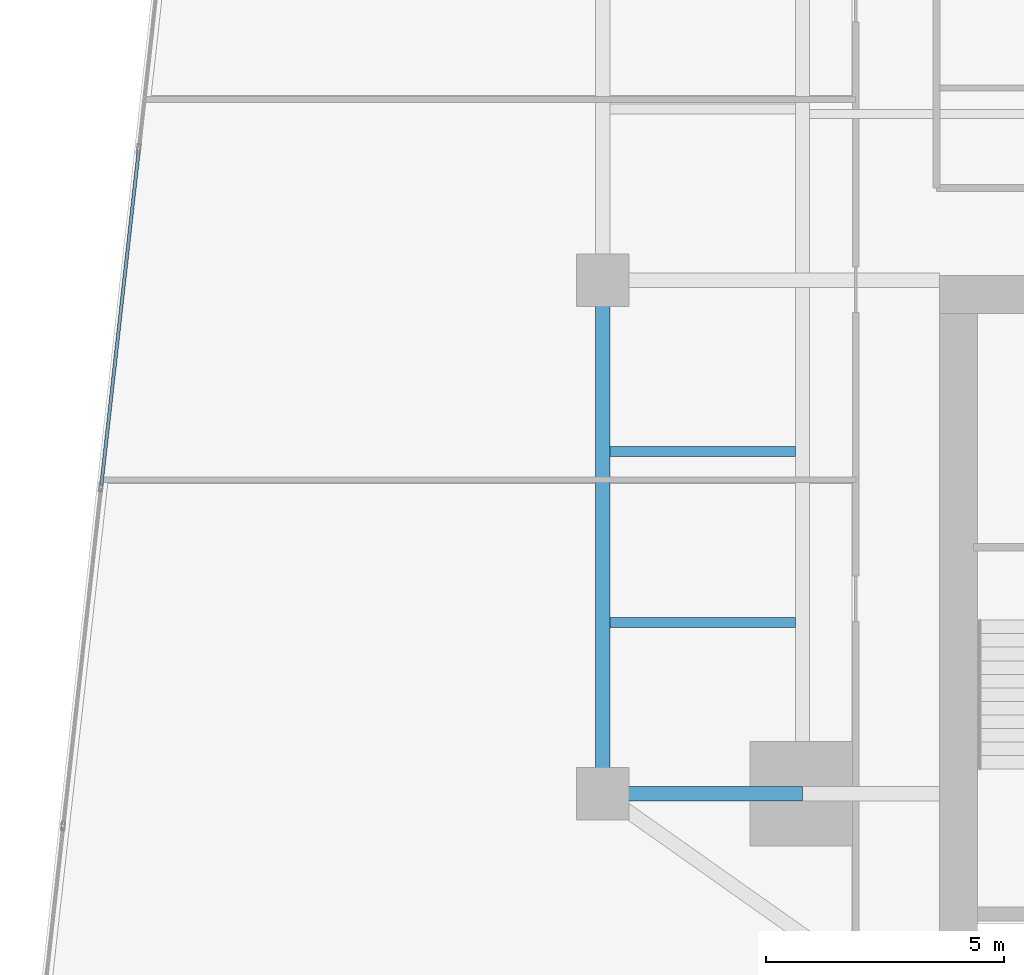
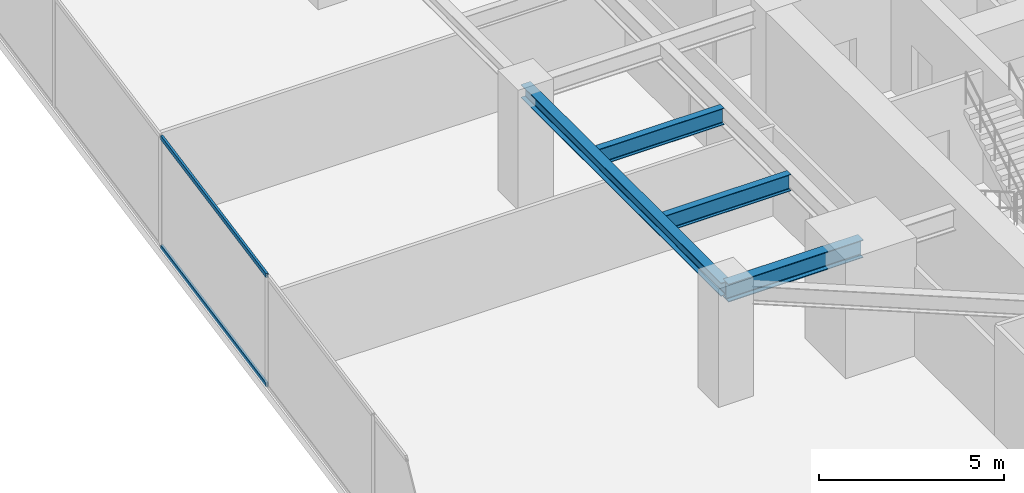
# One storey, part 7 of 31: 4 beams, 2 members, 1 element without a shape of its own.
"""IFC4 building model written with IfcOpenShell, lengths in metres."""

from ifc_helpers import new_model, si_unit, direction, frame, origin, origin_2d, place, context, subcontext, project, spatial, hollow_rectangle, i_section, extrude, source, transform, mapped, material, material_profile, profile_set, type_object, type_shapes, element, aggregate, save


model = new_model("IFC4")

# Units and contexts
model_context = context("Model", 3, precision=1e-05, world=origin(), true_north=direction((0.0, 1.0)))
body_context = subcontext(model_context, "Body", "Model", "MODEL_VIEW")
ifc_project = project(units=[si_unit("LENGTHUNIT", "METRE"), si_unit("AREAUNIT", "SQUARE_METRE"), si_unit("VOLUMEUNIT", "CUBIC_METRE"), si_unit("PLANEANGLEUNIT", "RADIAN"), si_unit("MASSUNIT", "GRAM", prefix="KILO")], contexts=[model_context])

# Site, building, storey
site_placement = place(None, origin())
site = spatial("IfcSite", under=ifc_project, at=site_placement, CompositionType="ELEMENT")
building_placement = place(site_placement, origin())
building = spatial("IfcBuilding", under=site, at=building_placement, Name="Krantzveldt Concourse Tower", CompositionType="ELEMENT")
storey_placement = place(building_placement, frame((0.0, 0.0, 56.60009765625)))
storey = spatial("IfcBuildingStorey", under=building, at=storey_placement, Name="L13", CompositionType="ELEMENT", Elevation=56.60009765625)

# Beams
ifc_material_1 = material(Name="Steel S355JR", Category="steel")
ifc_material_profile_1 = material_profile(ifc_material_1, i_section(OverallWidth=0.300048828125, OverallDepth=0.43994140625, WebThickness=0.011474609375, FlangeThickness=0.02099609375, FilletRadius=0.027099609375, at=origin_2d()), Name="Steel S355JR", Category="steel")
ifc_profile_set_1 = profile_set([ifc_material_profile_1], Name="Steel S355JR - HEA 450")
beam_type_1 = type_object("IfcBeamType", Name="BM-SP-HEA450", PredefinedType="SPANDREL", material=ifc_profile_set_1)
shared_shape_1 = source(origin(), body_context, "Body", "SweptSolid", [
    extrude(i_section(OverallWidth=0.300048828125, OverallDepth=0.43994140625, WebThickness=0.011474609375, FlangeThickness=0.02099609375, FilletRadius=0.027099609375, at=origin_2d()), origin(), (0.0, 0.0, 1.0), 10.800048828125),
])
type_shapes(beam_type_1, [shared_shape_1])
beam_1_placement = place(storey_placement, frame((21.0, 15.89990234375, 3.449951171875), z_axis=(0.0, 1.0, 0.0), x_axis=(-1.0, 0.0, 0.0)))
element("IfcBeam", 1, at=beam_1_placement, inside=storey, type_object=beam_type_1, Name="L13 Tower Girder SP-R01", PredefinedType="SPANDREL", context=body_context, shape_type="MappedRepresentation", body=[
    mapped(shared_shape_1, transform((0.0, 0.0, 0.0), x_axis=(1.0, 0.0, 0.0), y_axis=(0.0, 1.0, 0.0), z_axis=(0.0, 0.0, 1.0), scale=1.0)),
])
ifc_material_profile_2 = material_profile(ifc_material_1, i_section(OverallWidth=0.300048828125, OverallDepth=0.590087890625, WebThickness=0.012939453125, FlangeThickness=0.02490234375, FilletRadius=0.027099609375, at=origin_2d()), Name="Steel S355JR", Category="steel")
ifc_profile_set_2 = profile_set([ifc_material_profile_2], Name="Steel S355JR - HEA 600")
beam_type_2 = type_object("IfcBeamType", Name="BM-B-HEA600", PredefinedType="BEAM", material=ifc_profile_set_2)
shared_shape_2 = source(origin(), body_context, "Body", "SweptSolid", [
    extrude(i_section(OverallWidth=0.300048828125, OverallDepth=0.590087890625, WebThickness=0.012939453125, FlangeThickness=0.02490234375, FilletRadius=0.027099609375, at=origin_2d()), origin(), (0.0, 0.0, 1.0), 4.199951171875),
])
type_shapes(beam_type_2, [shared_shape_2])
beam_2_placement = place(storey_placement, frame((21.0, 15.89990234375, 3.375), z_axis=(1.0, 0.0, 0.0), x_axis=(0.0, 1.0, 0.0)))
element("IfcBeam", 2, at=beam_2_placement, inside=storey, type_object=beam_type_2, Name="L13 Tower Girder BR-RL1", PredefinedType="BEAM", context=body_context, shape_type="MappedRepresentation", body=[
    mapped(shared_shape_2, transform((0.0, 0.0, 0.0), x_axis=(1.0, 0.0, 0.0), y_axis=(0.0, 1.0, 0.0), z_axis=(0.0, 0.0, 1.0), scale=1.0)),
])
ifc_material_profile_3 = material_profile(ifc_material_1, i_section(OverallWidth=0.2099609375, OverallDepth=0.550048828125, WebThickness=0.010986328125, FlangeThickness=0.01708984375, FilletRadius=0.02392578125, at=origin_2d()), Name="Steel S355JR", Category="steel")
ifc_profile_set_3 = profile_set([ifc_material_profile_3], Name="Steel S355JR - IPE 550")
beam_type_3 = type_object("IfcBeamType", Name="BM-J-IPE550", PredefinedType="JOIST", material=ifc_profile_set_3)
shared_shape_3 = source(origin(), body_context, "Body", "SweptSolid", [
    extrude(i_section(OverallWidth=0.2099609375, OverallDepth=0.550048828125, WebThickness=0.010986328125, FlangeThickness=0.01708984375, FilletRadius=0.02392578125, at=origin_2d()), origin(), (0.0, 0.0, 1.0), 3.900146484375),
])
type_shapes(beam_type_3, [shared_shape_3])
for number, where, z_axis, x_axis, name in (
    (3, (21.14990234375, 19.5, 3.39501953125), (1.0, 0.0, 0.0), (0.0, 1.0, 0.0), "L13 Secondary Floor Joist JW-1"),
    (4, (21.14990234375, 23.10009765625, 3.39501953125), (1.0, 0.0, 0.0), (0.0, 1.0, 0.0), "L13 Secondary Floor Joist JW-2"),
):
    element("IfcBeam", number, at=place(storey_placement, frame(where, z_axis=z_axis, x_axis=x_axis)), inside=storey, type_object=beam_type_3, Name=name, PredefinedType="JOIST", context=body_context, shape_type="MappedRepresentation", body=[
        mapped(shared_shape_3, transform((0.0, 0.0, 0.0), x_axis=(1.0, 0.0, 0.0), y_axis=(0.0, 1.0, 0.0), z_axis=(0.0, 0.0, 1.0), scale=1.0)),
    ])

# Curtain wall, members
ifc_material_2 = material(Name="Anodised aluminium 6063-T6", Category="aluminium")
curtain_wall_type = type_object("IfcCurtainWallType", Name="CW2", PredefinedType="USERDEFINED", material=ifc_material_2)
curtain_wall_placement = place(storey_placement, origin())
curtain_wall = element("IfcCurtainWall", 5, at=curtain_wall_placement, inside=storey, type_object=curtain_wall_type, Name="CW-L13-F01", ObjectType="UNITISED CURTAIN WALL", PredefinedType="USERDEFINED")
ifc_material_profile_4 = material_profile(ifc_material_2, hollow_rectangle(XDim=0.070068359375, YDim=0.139892578125, WallThickness=0.0048828125, at=origin_2d()), Name="Anodised aluminium 6063-T6", Category="aluminium")
ifc_profile_set_4 = profile_set([ifc_material_profile_4], Name="Anodised aluminium 6063-T6 - ALU-TRAN 140x70x5")
member_type = type_object("IfcMemberType", Name="CW-TRN-150", PredefinedType="USERDEFINED", material=ifc_profile_set_4)
shared_shape_4 = source(origin(), body_context, "Body", "SweptSolid", [
    extrude(hollow_rectangle(XDim=0.070068359375, YDim=0.139892578125, WallThickness=0.0048828125, at=origin_2d()), origin(), (0.0, 0.0, 1.0), 7.0966796875),
])
type_shapes(member_type, [shared_shape_4])
member_1_placement = place(storey_placement, frame((11.240234375, 29.43115234375, 0.034912109375), z_axis=(-0.111050746722, -0.993814737088, 0.0), x_axis=(0.993814737088, -0.111050746722, 0.0)))
member_1 = element("IfcMember", 6, at=member_1_placement, type_object=member_type, Name="CW-Z12 transom 4.1", ObjectType="TRANSOM", PredefinedType="USERDEFINED", context=body_context, shape_type="MappedRepresentation", body=[
    mapped(shared_shape_4, transform((0.0, 0.0, 0.0), x_axis=(1.0, 0.0, 0.0), y_axis=(0.0, 1.0, 0.0), z_axis=(0.0, 0.0, 1.0), scale=1.0)),
])
member_2_placement = place(storey_placement, frame((11.240234375, 29.43115234375, 3.635009765625), z_axis=(-0.111050746722, -0.993814737088, 0.0), x_axis=(0.993814737088, -0.111050746722, 0.0)))
member_2 = element("IfcMember", 7, at=member_2_placement, type_object=member_type, Name="CW-Z12 transom 4.2", ObjectType="TRANSOM", PredefinedType="USERDEFINED", context=body_context, shape_type="MappedRepresentation", body=[
    mapped(shared_shape_4, transform((0.0, 0.0, 0.0), x_axis=(1.0, 0.0, 0.0), y_axis=(0.0, 1.0, 0.0), z_axis=(0.0, 0.0, 1.0), scale=1.0)),
])
aggregate(curtain_wall, [member_1, member_2])

save(model, "model.ifc")
